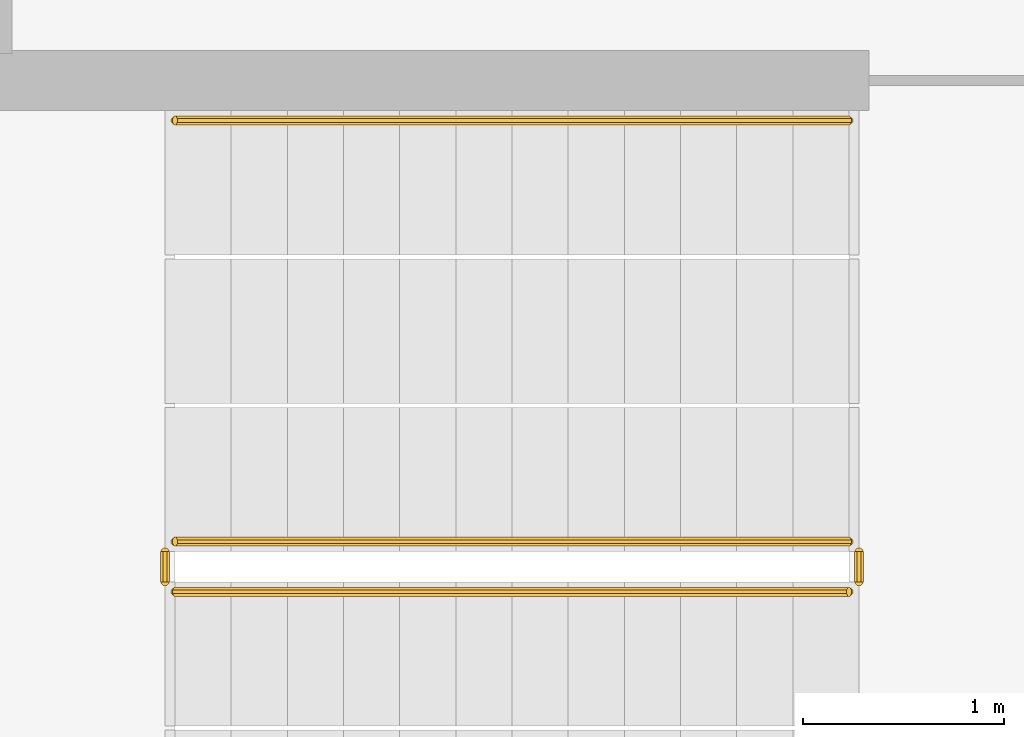
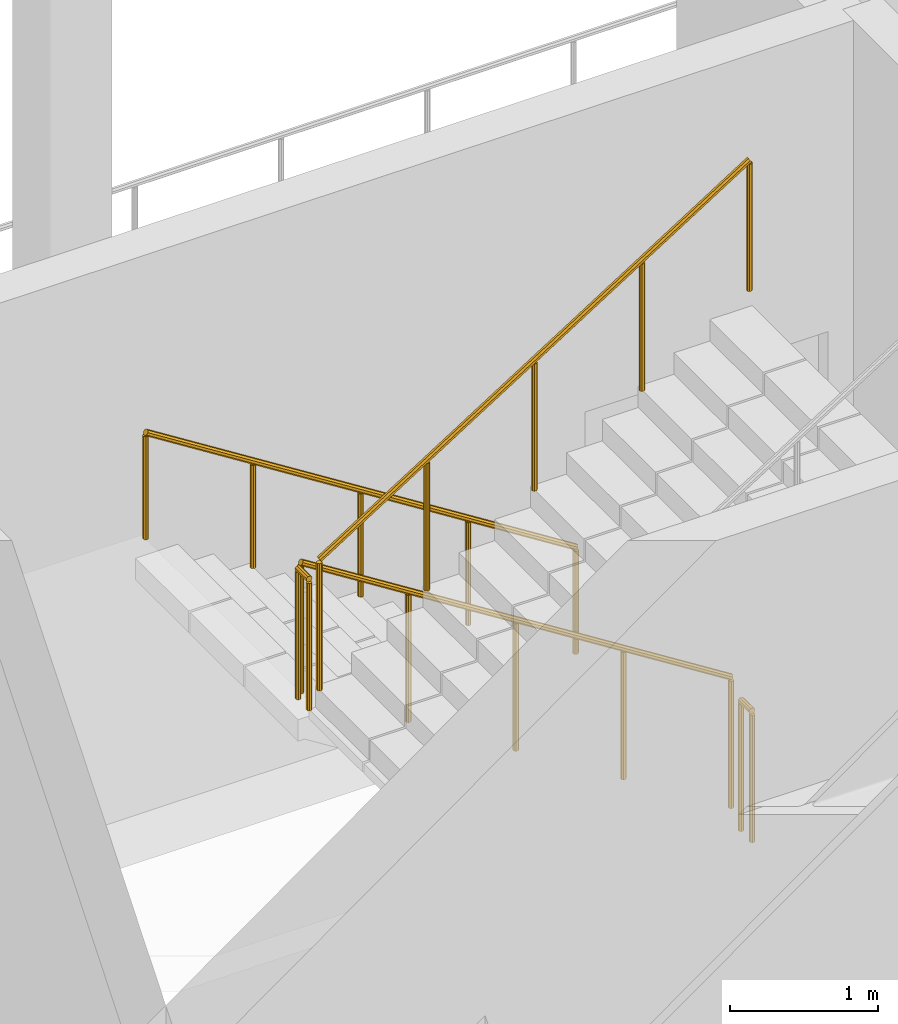
# One storey, part 22 of 31: 5 railings.
"""IFC4 building model written with IfcOpenShell, lengths in metres."""

from ifc_helpers import new_model, si_unit, direction, frame, origin, place, context, subcontext, project, spatial, polyline, outline, extrude, material, type_object, element, save


model = new_model("IFC4")

# Units and contexts
model_context = context("Model", 3, precision=1e-05, world=origin(), true_north=direction((0.0, 1.0)))
body_context = subcontext(model_context, "Body", "Model", "MODEL_VIEW")
ifc_project = project(units=[si_unit("LENGTHUNIT", "METRE"), si_unit("AREAUNIT", "SQUARE_METRE"), si_unit("VOLUMEUNIT", "CUBIC_METRE"), si_unit("PLANEANGLEUNIT", "RADIAN"), si_unit("MASSUNIT", "GRAM", prefix="KILO")], contexts=[model_context])

# Site, building, storey
site_placement = place(None, origin())
site = spatial("IfcSite", under=ifc_project, at=site_placement, CompositionType="ELEMENT")
building_placement = place(site_placement, origin())
building = spatial("IfcBuilding", under=site, at=building_placement, Name="Cormorant Relay Tower", CompositionType="ELEMENT")
storey_placement = place(building_placement, frame((0.0, 0.0, 103.0)))
storey = spatial("IfcBuildingStorey", under=building, at=storey_placement, Name="L20", CompositionType="ELEMENT", Elevation=103.0)

# Railings
ifc_material_1 = material(Name="Steel ASTM A572 Grade 50 (Fy 345 MPa)", Category="steel")
railing_type_1 = type_object("IfcRailingType", Name="Stair guard 1100", PredefinedType="GUARDRAIL", material=ifc_material_1)
railing_1_placement = place(storey_placement, frame((1.60009765625, -18.27490234375, 0.177001953125)))
element("IfcRailing", 1, at=railing_1_placement, inside=storey, type_object=railing_type_1, Name="L20 RK1 stair guard 1", PredefinedType="GUARDRAIL", context=body_context, shape_type="SweptSolid", body=[
    extrude(outline(polyline([(0.022216796875, 0.00927734375), (0.00927734375, 0.022216796875), (-0.00927734375, 0.022216796875), (-0.022216796875, 0.00927734375), (-0.022216796875, -0.00927734375), (-0.00927734375, -0.022216796875), (0.00927734375, -0.022216796875), (0.022216796875, -0.00927734375), (0.022216796875, 0.00927734375)])), frame((0.0, 0.0, 1.076171875), z_axis=(-0.845389635667, 0.0, 0.534150132366), x_axis=(0.0, -1.0, 0.0)), (0.0, 0.0, 1.0), 3.974609375),
    extrude(outline(polyline([(0.019287109375, 0.008056640625), (0.008056640625, 0.019287109375), (-0.008056640625, 0.019287109375), (-0.019287109375, 0.008056640625), (-0.019287109375, -0.008056640625), (-0.008056640625, -0.019287109375), (0.008056640625, -0.019287109375), (0.019287109375, -0.008056640625), (0.019287109375, 0.008056640625)])), origin(), (0.0, 0.0, 1.0), 1.052001953125),
    extrude(outline(polyline([(0.019287109375, 0.008056640625), (0.008056640625, 0.019287109375), (-0.008056640625, 0.019287109375), (-0.019287109375, 0.008056640625), (-0.019287109375, -0.008056640625), (-0.008056640625, -0.019287109375), (0.008056640625, -0.019287109375), (0.019287109375, -0.008056640625), (0.019287109375, 0.008056640625)])), frame((-0.840087890625, 0.0, 0.53076171875)), (0.0, 0.0, 1.0), 1.052001953125),
    extrude(outline(polyline([(0.019287109375, 0.008056640625), (0.008056640625, 0.019287109375), (-0.008056640625, 0.019287109375), (-0.019287109375, 0.008056640625), (-0.019287109375, -0.008056640625), (-0.008056640625, -0.019287109375), (0.008056640625, -0.019287109375), (0.019287109375, -0.008056640625), (0.019287109375, 0.008056640625)])), frame((-1.68017578125, 0.0, 1.0615234375)), (0.0, 0.0, 1.0), 1.052001953125),
    extrude(outline(polyline([(0.019287109375, 0.008056640625), (0.008056640625, 0.019287109375), (-0.008056640625, 0.019287109375), (-0.019287109375, 0.008056640625), (-0.019287109375, -0.008056640625), (-0.008056640625, -0.019287109375), (0.008056640625, -0.019287109375), (0.019287109375, -0.008056640625), (0.019287109375, 0.008056640625)])), frame((-2.52001953125, 0.0, 1.59228515625)), (0.0, 0.0, 1.0), 1.052001953125),
    extrude(outline(polyline([(0.019287109375, 0.008056640625), (0.008056640625, 0.019287109375), (-0.008056640625, 0.019287109375), (-0.019287109375, 0.008056640625), (-0.019287109375, -0.008056640625), (-0.008056640625, -0.019287109375), (0.008056640625, -0.019287109375), (0.019287109375, -0.008056640625), (0.019287109375, 0.008056640625)])), frame((-3.360107421875, 0.0, 2.123046875)), (0.0, 0.0, 1.0), 1.052001953125),
])
railing_2_placement = place(storey_placement, frame((-1.81005859375, -18.324951171875, 2.300048828125)))
element("IfcRailing", 2, at=railing_2_placement, inside=storey, type_object=railing_type_1, Name="L20 RK1 stair guard 2", PredefinedType="GUARDRAIL", context=body_context, shape_type="SweptSolid", body=[
    extrude(outline(polyline([(0.022216796875, 0.00927734375), (0.00927734375, 0.022216796875), (-0.00927734375, 0.022216796875), (-0.022216796875, 0.00927734375), (-0.022216796875, -0.00927734375), (-0.00927734375, -0.022216796875), (0.00927734375, -0.022216796875), (0.022216796875, -0.00927734375), (0.022216796875, 0.00927734375)])), frame((0.0, 0.0, 1.076171875), z_axis=(0.0, -1.0, 0.0), x_axis=(1.0, 0.0, 0.0)), (0.0, 0.0, 1.0), 0.150146484375),
    extrude(outline(polyline([(0.019287109375, 0.008056640625), (0.008056640625, 0.019287109375), (-0.008056640625, 0.019287109375), (-0.019287109375, 0.008056640625), (-0.019287109375, -0.008056640625), (-0.008056640625, -0.019287109375), (0.008056640625, -0.019287109375), (0.019287109375, -0.008056640625), (0.019287109375, 0.008056640625)])), origin(), (0.0, 0.0, 1.0), 1.052001953125),
    extrude(outline(polyline([(0.019287109375, 0.008056640625), (0.008056640625, 0.019287109375), (-0.008056640625, 0.019287109375), (-0.019287109375, 0.008056640625), (-0.019287109375, -0.008056640625), (-0.008056640625, -0.019287109375), (0.008056640625, -0.019287109375), (0.019287109375, -0.008056640625), (0.019287109375, 0.008056640625)])), frame((0.0, -0.150146484375, 0.0)), (0.0, 0.0, 1.0), 1.052001953125),
])
railing_3_placement = place(storey_placement, frame((-1.760009765625, -18.52490234375, 2.476806640625)))
element("IfcRailing", 3, at=railing_3_placement, inside=storey, type_object=railing_type_1, Name="L20 RK1 stair guard 3", PredefinedType="GUARDRAIL", context=body_context, shape_type="SweptSolid", body=[
    extrude(outline(polyline([(0.022216796875, 0.00927734375), (0.00927734375, 0.022216796875), (-0.00927734375, 0.022216796875), (-0.022216796875, 0.00927734375), (-0.022216796875, -0.00927734375), (-0.00927734375, -0.022216796875), (0.00927734375, -0.022216796875), (0.022216796875, -0.00927734375), (0.022216796875, 0.00927734375)])), frame((0.0, 0.0, 1.076171875), z_axis=(0.845361898145, 0.0, 0.534194029511), x_axis=(0.0, 1.0, 0.0)), (0.0, 0.0, 1.0), 3.974853515625),
    extrude(outline(polyline([(0.019287109375, 0.008056640625), (0.008056640625, 0.019287109375), (-0.008056640625, 0.019287109375), (-0.019287109375, 0.008056640625), (-0.019287109375, -0.008056640625), (-0.008056640625, -0.019287109375), (0.008056640625, -0.019287109375), (0.019287109375, -0.008056640625), (0.019287109375, 0.008056640625)])), origin(), (0.0, 0.0, 1.0), 1.052001953125),
    extrude(outline(polyline([(0.019287109375, 0.008056640625), (0.008056640625, 0.019287109375), (-0.008056640625, 0.019287109375), (-0.019287109375, 0.008056640625), (-0.019287109375, -0.008056640625), (-0.008056640625, -0.019287109375), (0.008056640625, -0.019287109375), (0.019287109375, -0.008056640625), (0.019287109375, 0.008056640625)])), frame((0.840087890625, 0.0, 0.53076171875)), (0.0, 0.0, 1.0), 1.052001953125),
    extrude(outline(polyline([(0.019287109375, 0.008056640625), (0.008056640625, 0.019287109375), (-0.008056640625, 0.019287109375), (-0.019287109375, 0.008056640625), (-0.019287109375, -0.008056640625), (-0.008056640625, -0.019287109375), (0.008056640625, -0.019287109375), (0.019287109375, -0.008056640625), (0.019287109375, 0.008056640625)])), frame((1.68017578125, 0.0, 1.0615234375)), (0.0, 0.0, 1.0), 1.052001953125),
    extrude(outline(polyline([(0.019287109375, 0.008056640625), (0.008056640625, 0.019287109375), (-0.008056640625, 0.019287109375), (-0.019287109375, 0.008056640625), (-0.019287109375, -0.008056640625), (-0.008056640625, -0.019287109375), (0.008056640625, -0.019287109375), (0.019287109375, -0.008056640625), (0.019287109375, 0.008056640625)])), frame((2.52001953125, 0.0, 1.592529296875)), (0.0, 0.0, 1.0), 1.052001953125),
    extrude(outline(polyline([(0.019287109375, 0.008056640625), (0.008056640625, 0.019287109375), (-0.008056640625, 0.019287109375), (-0.019287109375, 0.008056640625), (-0.019287109375, -0.008056640625), (-0.008056640625, -0.019287109375), (0.008056640625, -0.019287109375), (0.019287109375, -0.008056640625), (0.019287109375, 0.008056640625)])), frame((3.360107421875, 0.0, 2.123291015625)), (0.0, 0.0, 1.0), 1.052001953125),
])
railing_4_placement = place(storey_placement, frame((1.64990234375, -18.324951171875, 0.0)))
element("IfcRailing", 4, at=railing_4_placement, inside=storey, type_object=railing_type_1, Name="L20 RK1 stair guard 4", PredefinedType="GUARDRAIL", context=body_context, shape_type="SweptSolid", body=[
    extrude(outline(polyline([(0.022216796875, 0.00927734375), (0.00927734375, 0.022216796875), (-0.00927734375, 0.022216796875), (-0.022216796875, 0.00927734375), (-0.022216796875, -0.00927734375), (-0.00927734375, -0.022216796875), (0.00927734375, -0.022216796875), (0.022216796875, -0.00927734375), (0.022216796875, 0.00927734375)])), frame((0.0, 0.0, 1.076171875), z_axis=(0.0, -1.0, 0.0), x_axis=(1.0, 0.0, 0.0)), (0.0, 0.0, 1.0), 0.150146484375),
    extrude(outline(polyline([(0.019287109375, 0.008056640625), (0.008056640625, 0.019287109375), (-0.008056640625, 0.019287109375), (-0.019287109375, 0.008056640625), (-0.019287109375, -0.008056640625), (-0.008056640625, -0.019287109375), (0.008056640625, -0.019287109375), (0.019287109375, -0.008056640625), (0.019287109375, 0.008056640625)])), origin(), (0.0, 0.0, 1.0), 1.052001953125),
    extrude(outline(polyline([(0.019287109375, 0.008056640625), (0.008056640625, 0.019287109375), (-0.008056640625, 0.019287109375), (-0.019287109375, 0.008056640625), (-0.019287109375, -0.008056640625), (-0.008056640625, -0.019287109375), (0.008056640625, -0.019287109375), (0.019287109375, -0.008056640625), (0.019287109375, 0.008056640625)])), frame((0.0, -0.150146484375, 0.0)), (0.0, 0.0, 1.0), 1.052001953125),
])
ifc_material_2 = material(Name="Steel ASTM A572 Grade 50 (Fy 345 MPa)", Category="steel")
railing_type_2 = type_object("IfcRailingType", Name="Stair handrail 900", PredefinedType="HANDRAIL", material=ifc_material_2)
railing_5_placement = place(storey_placement, frame((1.60009765625, -16.175048828125, 0.177001953125)))
element("IfcRailing", 5, at=railing_5_placement, inside=storey, type_object=railing_type_2, Name="L20 RK1 stair handrail 1", PredefinedType="HANDRAIL", context=body_context, shape_type="SweptSolid", body=[
    extrude(outline(polyline([(0.022216796875, 0.00927734375), (0.00927734375, 0.022216796875), (-0.00927734375, 0.022216796875), (-0.022216796875, 0.00927734375), (-0.022216796875, -0.00927734375), (-0.00927734375, -0.022216796875), (0.00927734375, -0.022216796875), (0.022216796875, -0.00927734375), (0.022216796875, 0.00927734375)])), frame((0.0, 0.0, 0.8759765625), z_axis=(-0.845389635667, 0.0, 0.534150132366), x_axis=(0.0, -1.0, 0.0)), (0.0, 0.0, 1.0), 3.974609375),
    extrude(outline(polyline([(0.019287109375, 0.008056640625), (0.008056640625, 0.019287109375), (-0.008056640625, 0.019287109375), (-0.019287109375, 0.008056640625), (-0.019287109375, -0.008056640625), (-0.008056640625, -0.019287109375), (0.008056640625, -0.019287109375), (0.019287109375, -0.008056640625), (0.019287109375, 0.008056640625)])), origin(), (0.0, 0.0, 1.0), 0.851806640625),
    extrude(outline(polyline([(0.019287109375, 0.008056640625), (0.008056640625, 0.019287109375), (-0.008056640625, 0.019287109375), (-0.019287109375, 0.008056640625), (-0.019287109375, -0.008056640625), (-0.008056640625, -0.019287109375), (0.008056640625, -0.019287109375), (0.019287109375, -0.008056640625), (0.019287109375, 0.008056640625)])), frame((-0.840087890625, 0.0, 0.53076171875)), (0.0, 0.0, 1.0), 0.851806640625),
    extrude(outline(polyline([(0.019287109375, 0.008056640625), (0.008056640625, 0.019287109375), (-0.008056640625, 0.019287109375), (-0.019287109375, 0.008056640625), (-0.019287109375, -0.008056640625), (-0.008056640625, -0.019287109375), (0.008056640625, -0.019287109375), (0.019287109375, -0.008056640625), (0.019287109375, 0.008056640625)])), frame((-1.68017578125, 0.0, 1.0615234375)), (0.0, 0.0, 1.0), 0.851806640625),
    extrude(outline(polyline([(0.019287109375, 0.008056640625), (0.008056640625, 0.019287109375), (-0.008056640625, 0.019287109375), (-0.019287109375, 0.008056640625), (-0.019287109375, -0.008056640625), (-0.008056640625, -0.019287109375), (0.008056640625, -0.019287109375), (0.019287109375, -0.008056640625), (0.019287109375, 0.008056640625)])), frame((-2.52001953125, 0.0, 1.59228515625)), (0.0, 0.0, 1.0), 0.851806640625),
    extrude(outline(polyline([(0.019287109375, 0.008056640625), (0.008056640625, 0.019287109375), (-0.008056640625, 0.019287109375), (-0.019287109375, 0.008056640625), (-0.019287109375, -0.008056640625), (-0.008056640625, -0.019287109375), (0.008056640625, -0.019287109375), (0.019287109375, -0.008056640625), (0.019287109375, 0.008056640625)])), frame((-3.360107421875, 0.0, 2.123046875)), (0.0, 0.0, 1.0), 0.851806640625),
])

save(model, "model.ifc")
